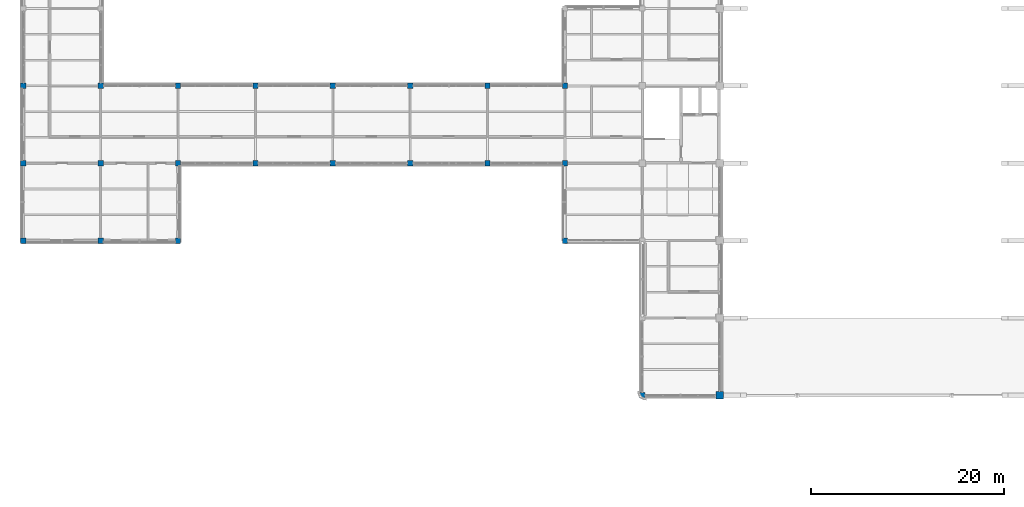
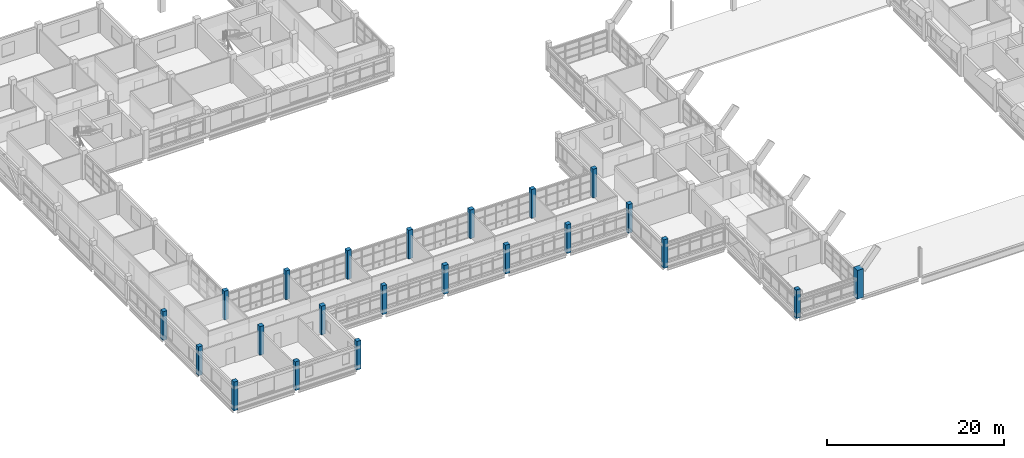
# One storey, part 1 of 92: 22 columns.
"""IFC4 building model written with IfcOpenShell, lengths in metres."""

import ifcopenshell
import ifcopenshell.guid

model = None  # the IFC model being written
_history = None  # IfcOwnerHistory: only IFC2X3 demands one
_inside = {}  # id of a spatial element -> (the spatial element, [elements in it])
_under = {}  # id of a project, library or spatial element -> (it, [spatial elements below it])
_declared = {}  # id of a project -> (the project, [libraries it declares])
_typed = {}  # id of a type object -> (the type object, [elements of that type])
_made_of = {}  # id of a material, layer set ... -> (it, [elements and type objects made of it])


def new_model(schema):
    """Start an empty IFC model of exactly this schema.

    Asked for "IFC4X3", IfcOpenShell would pick the latest addendum, in which some entities
    have other attributes; the version numbers below select the first issue.
    IFC2X3 requires an IfcOwnerHistory on every rooted entity: one is made here for all.
    """
    global model, _history
    if schema == "IFC4X3":
        model = ifcopenshell.file(schema_version=(4, 3, 0, 0))
    else:
        model = ifcopenshell.file(schema=schema)
    _inside.clear()
    _under.clear()
    _declared.clear()
    _typed.clear()
    _made_of.clear()
    _history = None
    if model.schema == "IFC2X3":
        org = make("IfcOrganization", Name="unknown")
        user = make(
            "IfcPersonAndOrganization",
            ThePerson=make("IfcPerson", FamilyName="unknown"),
            TheOrganization=org,
        )
        app = make(
            "IfcApplication",
            ApplicationDeveloper=org,
            Version="unknown",
            ApplicationFullName="unknown",
            ApplicationIdentifier="unknown",
        )
        _history = make(
            "IfcOwnerHistory",
            OwningUser=user,
            OwningApplication=app,
            ChangeAction="ADDED",
            CreationDate=0,
        )
    return model


def make(cls, **values):
    """One entity of the class cls with the attributes given. An attribute that is None is left unset."""
    return model.create_entity(
        cls, **{name: value for name, value in values.items() if value is not None}
    )


def rooted(cls, **values):
    """An entity with a GlobalId (a new one), such as an element, a storey or a relation."""
    return make(cls, GlobalId=ifcopenshell.guid.new(), OwnerHistory=_history, **values)


def si_unit(unit_type, name, prefix=None):
    """IfcSIUnit, for example si_unit("LENGTHUNIT", "METRE", prefix="MILLI")."""
    return make("IfcSIUnit", UnitType=unit_type, Prefix=prefix, Name=name)


def derived_unit(unit_type, elements):
    """IfcDerivedUnit: a product of units, each with its exponent."""
    return make(
        "IfcDerivedUnit",
        Elements=[
            make("IfcDerivedUnitElement", Unit=unit, Exponent=power)
            for unit, power in elements
        ],
        UnitType=unit_type,
    )


def assignment(units):
    """IfcUnitAssignment: the units of a project."""
    return None if units is None else make("IfcUnitAssignment", Units=units)


def point(xyz):
    """IfcCartesianPoint."""
    return None if xyz is None else make("IfcCartesianPoint", Coordinates=xyz)


def direction(xyz):
    """IfcDirection."""
    return None if xyz is None else make("IfcDirection", DirectionRatios=xyz)


def frame(location, z_axis=None, x_axis=None):
    """IfcAxis2Placement3D, a coordinate frame: its origin and axes. An axis left out is left unset."""
    return make(
        "IfcAxis2Placement3D",
        Location=point(location),
        Axis=direction(z_axis),
        RefDirection=direction(x_axis),
    )


def frame_2d(location, x_axis=None):
    """IfcAxis2Placement2D, a coordinate frame in the plane: its origin and x axis."""
    return make(
        "IfcAxis2Placement2D", Location=point(location), RefDirection=direction(x_axis)
    )


def origin():
    """The frame at (0, 0, 0) with its axes left unset."""
    return frame((0.0, 0.0, 0.0))


def origin_2d():
    """The frame at (0, 0) in the plane with its x axis left unset."""
    return frame_2d((0.0, 0.0))


def place(relative_to, where):
    """IfcLocalPlacement: puts the frame where relative to a parent placement (None: the world)."""
    return make(
        "IfcLocalPlacement", PlacementRelTo=relative_to, RelativePlacement=where
    )


def context(
    kind, dimensions, precision=None, world=None, true_north=None, identifier=None
):
    """IfcGeometricRepresentationContext, for example the 3D "Model" context."""
    return make(
        "IfcGeometricRepresentationContext",
        ContextIdentifier=identifier,
        ContextType=kind,
        CoordinateSpaceDimension=dimensions,
        Precision=precision,
        WorldCoordinateSystem=world,
        TrueNorth=true_north,
    )


def subcontext(parent, identifier, kind, view, scale=None):
    """IfcGeometricRepresentationSubContext, for example "Body" below "Model"."""
    return make(
        "IfcGeometricRepresentationSubContext",
        ContextIdentifier=identifier,
        ContextType=kind,
        ParentContext=parent,
        TargetScale=scale,
        TargetView=view,
    )


def project(units=None, contexts=None):
    """IfcProject with its units and contexts."""
    return rooted(
        "IfcProject",
        Name="project",
        RepresentationContexts=contexts,
        UnitsInContext=assignment(units),
    )


def spatial(cls, under=None, at=None, **own):
    """A site, building, storey or space (cls), placed at a placement, below another one or the project."""
    s = rooted(cls, ObjectPlacement=at, **own)
    if under is not None:
        _under.setdefault(under.id(), (under, []))[1].append(s)
    return s


def profile(cls, at=None, kind="AREA", **sizes):
    """A parametric profile (cls). Its sizes go by their IFC names, for example OverallWidth=200.0."""
    return make(cls, ProfileType=kind, Position=at, **sizes)


def rectangle(**sizes):
    """IfcRectangleProfileDef."""
    return profile("IfcRectangleProfileDef", **sizes)


def extrude(swept, where, along, depth):
    """IfcExtrudedAreaSolid: the profile swept, set in the frame where, extruded along a direction by depth."""
    return make(
        "IfcExtrudedAreaSolid",
        SweptArea=swept,
        Position=where,
        ExtrudedDirection=direction(along),
        Depth=depth,
    )


def shape(context_of_items, identifier, shape_type, items):
    """IfcShapeRepresentation: the items that make up one representation, for example the "Body"."""
    return make(
        "IfcShapeRepresentation",
        ContextOfItems=context_of_items,
        RepresentationIdentifier=identifier,
        RepresentationType=shape_type,
        Items=items,
    )


def material(Name=None, Category=None):
    """IfcMaterial."""
    return make("IfcMaterial", Name=Name, Category=Category)


def material_profile(
    of_material, cross_section, Name=None, Category=None, Priority=None
):
    """IfcMaterialProfile: a cross section and its material."""
    return make(
        "IfcMaterialProfile",
        Name=Name,
        Material=of_material,
        Profile=cross_section,
        Priority=Priority,
        Category=Category,
    )


def profile_set(profiles, Name=None, composite=None):
    """IfcMaterialProfileSet."""
    return make(
        "IfcMaterialProfileSet",
        Name=Name,
        MaterialProfiles=profiles,
        CompositeProfile=composite,
    )


def made_of(thing, what):
    """Note that an element or type object is made of a material, layer set ...; save() writes the relation."""
    if what is not None:
        _made_of.setdefault(what.id(), (what, []))[1].append(thing)
    return thing


def type_object(cls, material=None, **own):
    """A type object (cls), such as IfcWallType, which elements share."""
    return made_of(rooted(cls, **own), material)


def element(
    cls,
    number,
    at=None,
    inside=None,
    cuts=None,
    type_object=None,
    material=None,
    context=None,
    identifier="Body",
    shape_type=None,
    held_by="IfcProductDefinitionShape",
    body=None,
    shapes=None,
    **own,
):
    """One element of the class cls, such as IfcWall. Its Tag is "e" and its number.

    at: its placement. inside: the storey or other place that contains it. cuts: it is an
    opening in that element (IfcRelVoidsElement). A single representation is given by context,
    identifier, shape_type and body (its items); several are given by shapes. held_by: the class
    of the entity that holds the representations. save() writes the other relations.
    """
    e = rooted(cls, Tag="e%d" % number, ObjectPlacement=at, **own)
    if body is not None:
        shapes = [shape(context, identifier, shape_type, body)]
    if shapes is not None:
        e.Representation = make(held_by, Representations=shapes)
    if inside is not None:
        _inside.setdefault(inside.id(), (inside, []))[1].append(e)
    if cuts is not None:
        rooted(
            "IfcRelVoidsElement", RelatingBuildingElement=cuts, RelatedOpeningElement=e
        )
    if type_object is not None:
        _typed.setdefault(type_object.id(), (type_object, []))[1].append(e)
    return made_of(e, material)


def aggregate(whole, parts):
    """IfcRelAggregates: a whole, such as a stair, and the parts it consists of."""
    return rooted("IfcRelAggregates", RelatingObject=whole, RelatedObjects=parts)


def save(model, path):
    """Write the relations noted so far, then the file.

    IfcRelAggregates (storeys below a building ...), IfcRelContainedInSpatialStructure (elements
    in a storey), IfcRelDefinesByType, IfcRelAssociatesMaterial and IfcRelDeclares: one each for
    every whole, place, type object, material and project.
    """
    for whole, parts in _under.values():
        aggregate(whole, parts)
    for where, things in _inside.values():
        rooted(
            "IfcRelContainedInSpatialStructure",
            RelatedElements=things,
            RelatingStructure=where,
        )
    for kind, things in _typed.values():
        rooted("IfcRelDefinesByType", RelatedObjects=things, RelatingType=kind)
    for what, things in _made_of.values():
        rooted("IfcRelAssociatesMaterial", RelatedObjects=things, RelatingMaterial=what)
    for by, libraries in _declared.values():
        rooted("IfcRelDeclares", RelatingContext=by, RelatedDefinitions=libraries)
    model.write(path)


model = new_model("IFC4")

# Units and contexts
model_context = context("Model", 3, precision=1e-05, world=origin(), true_north=direction((0.0, 1.0)))
body_context = subcontext(model_context, "Body", "Model", "MODEL_VIEW")
ifc_project = project(units=[si_unit("LENGTHUNIT", "METRE"), si_unit("AREAUNIT", "SQUARE_METRE"), si_unit("VOLUMEUNIT", "CUBIC_METRE"), si_unit("PLANEANGLEUNIT", "RADIAN"), si_unit("MASSUNIT", "GRAM", prefix="KILO"), derived_unit("THERMALTRANSMITTANCEUNIT", [(si_unit("MASSUNIT", "GRAM", prefix="KILO"), 1), (si_unit("TIMEUNIT", "SECOND"), -3), (si_unit("THERMODYNAMICTEMPERATUREUNIT", "KELVIN"), -1)])], contexts=[model_context])

# Site, building, storey
site_placement = place(None, origin())
site = spatial("IfcSite", under=ifc_project, at=site_placement, CompositionType="ELEMENT")
building_placement = place(site_placement, origin())
building = spatial("IfcBuilding", under=site, at=building_placement, Name="Veyamyaing Civic Hall", CompositionType="ELEMENT")
storey_placement = place(building_placement, frame((0.0, 0.0, 17.820068359375)))
storey = spatial("IfcBuildingStorey", under=building, at=storey_placement, Name="L04", CompositionType="ELEMENT", Elevation=17.820068359375)

# Columns
ifc_material = material(Name="Concrete C45/55", Category="concrete")
ifc_material_profile_1 = material_profile(ifc_material, rectangle(XDim=0.800048828125, YDim=0.800048828125, at=origin_2d()), Name="RC-COL-800X800")
ifc_profile_set_1 = profile_set([ifc_material_profile_1], Name="Concrete C45/55")
column_type_1 = type_object("IfcColumnType", Name="C-02", PredefinedType="COLUMN", material=ifc_profile_set_1)
column_placement = place(storey_placement, frame((72.0, 24.0, 0.0), z_axis=(0.0, 0.0, 1.0), x_axis=(1.0, 0.0, 0.0)))
element("IfcColumn", 1, at=column_placement, inside=storey, type_object=column_type_1, Name="Column C-02 10-D L04", PredefinedType="COLUMN", context=body_context, shape_type="SweptSolid", body=[
    extrude(rectangle(XDim=0.800048828125, YDim=0.800048828125, at=origin_2d()), origin(), (0.0, 0.0, 1.0), 3.9599609375),
])
ifc_material_profile_2 = material_profile(ifc_material, rectangle(XDim=0.550048828125, YDim=0.550048828125, at=origin_2d()), Name="RC-COL-550X550")
ifc_profile_set_2 = profile_set([ifc_material_profile_2], Name="Concrete C45/55")
column_type_2 = type_object("IfcColumnType", Name="C-07", PredefinedType="COLUMN", material=ifc_profile_set_2)
for number, where, z_axis, x_axis, name in (
    (2, (0.0, 40.0, 0.0), (0.0, 0.0, 1.0), (1.0, 0.0, 0.0), "Column C-07 1-F L04"),
    (3, (0.0, 48.0, 0.0), (0.0, 0.0, 1.0), (1.0, 0.0, 0.0), "Column C-07 1-G L04"),
    (4, (0.0, 56.0, 0.0), (0.0, 0.0, 1.0), (1.0, 0.0, 0.0), "Column C-07 1-H L04"),
    (5, (8.0, 40.0, 0.0), (0.0, 0.0, 1.0), (1.0, 0.0, 0.0), "Column C-07 2-F L04"),
    (6, (8.0, 48.0, 0.0), (0.0, 0.0, 1.0), (1.0, 0.0, 0.0), "Column C-07 2-G L04"),
    (7, (8.0, 56.0, 0.0), (0.0, 0.0, 1.0), (1.0, 0.0, 0.0), "Column C-07 2-H L04"),
    (8, (16.0, 40.0, 0.0), (0.0, 0.0, 1.0), (1.0, 0.0, 0.0), "Column C-07 3-F L04"),
    (9, (16.0, 48.0, 0.0), (0.0, 0.0, 1.0), (1.0, 0.0, 0.0), "Column C-07 3-G L04"),
    (10, (16.0, 56.0, 0.0), (0.0, 0.0, 1.0), (1.0, 0.0, 0.0), "Column C-07 3-H L04"),
    (11, (24.0, 48.0, 0.0), (0.0, 0.0, 1.0), (1.0, 0.0, 0.0), "Column C-07 4-G L04"),
    (12, (24.0, 56.0, 0.0), (0.0, 0.0, 1.0), (1.0, 0.0, 0.0), "Column C-07 4-H L04"),
    (13, (32.0, 48.0, 0.0), (0.0, 0.0, 1.0), (1.0, 0.0, 0.0), "Column C-07 5-G L04"),
    (14, (32.0, 56.0, 0.0), (0.0, 0.0, 1.0), (1.0, 0.0, 0.0), "Column C-07 5-H L04"),
    (15, (40.0, 48.0, 0.0), (0.0, 0.0, 1.0), (1.0, 0.0, 0.0), "Column C-07 6-G L04"),
    (16, (40.0, 56.0, 0.0), (0.0, 0.0, 1.0), (1.0, 0.0, 0.0), "Column C-07 6-H L04"),
    (17, (48.0, 48.0, 0.0), (0.0, 0.0, 1.0), (1.0, 0.0, 0.0), "Column C-07 7-G L04"),
    (18, (48.0, 56.0, 0.0), (0.0, 0.0, 1.0), (1.0, 0.0, 0.0), "Column C-07 7-H L04"),
    (19, (56.0, 40.0, 0.0), (0.0, 0.0, 1.0), (1.0, 0.0, 0.0), "Column C-07 8-F L04"),
    (20, (56.0, 48.0, 0.0), (0.0, 0.0, 1.0), (1.0, 0.0, 0.0), "Column C-07 8-G L04"),
    (21, (56.0, 56.0, 0.0), (0.0, 0.0, 1.0), (1.0, 0.0, 0.0), "Column C-07 8-H L04"),
    (22, (64.0, 24.0, 0.0), (0.0, 0.0, 1.0), (1.0, 0.0, 0.0), "Column C-07 9-D L04"),
):
    element("IfcColumn", number, at=place(storey_placement, frame(where, z_axis=z_axis, x_axis=x_axis)), inside=storey, type_object=column_type_2, Name=name, PredefinedType="COLUMN", context=body_context, shape_type="SweptSolid", body=[
        extrude(rectangle(XDim=0.550048828125, YDim=0.550048828125, at=origin_2d()), origin(), (0.0, 0.0, 1.0), 3.9599609375),
    ])

save(model, "model.ifc")
